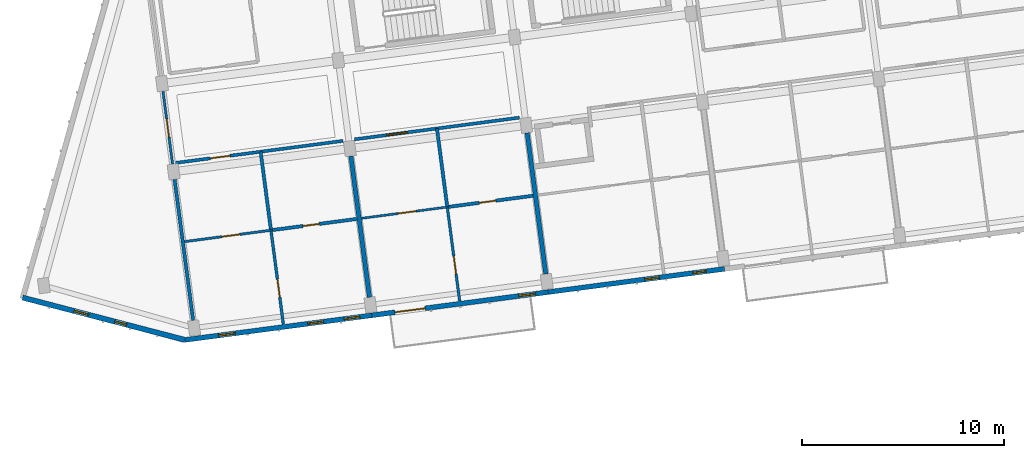
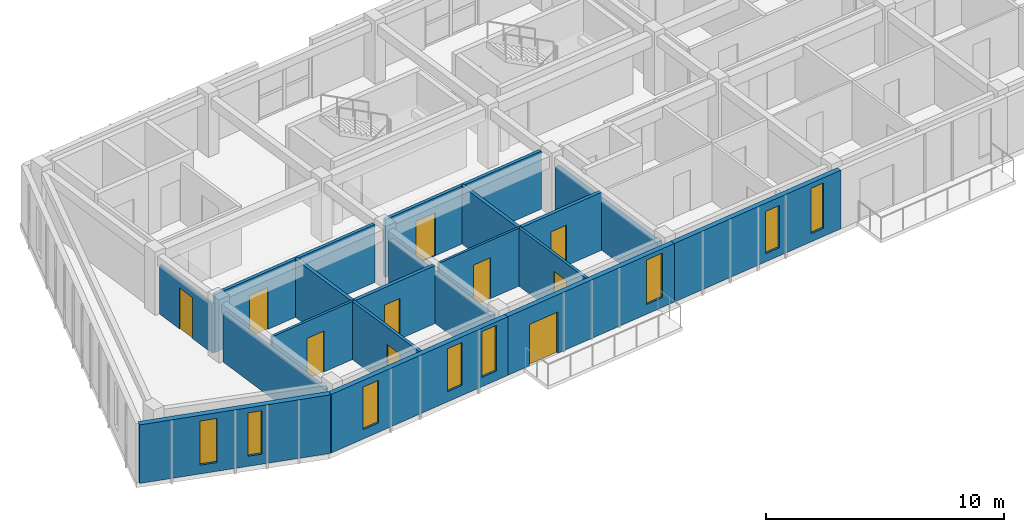
# One storey, part 21 of 64: 18 walls, 10 doors, 8 windows, 18 openings.
"""IFC4 building model written with IfcOpenShell, lengths in metres."""

from ifc_helpers import new_model, si_unit, direction, frame, frame_2d, origin, place, context, subcontext, project, spatial, rectangle, extrude, material, layer, layer_set, type_object, element, fill, save


model = new_model("IFC4")

# Units and contexts
model_context = context("Model", 3, precision=1e-05, world=origin(), true_north=direction((0.0, 1.0)))
body_context = subcontext(model_context, "Body", "Model", "MODEL_VIEW")
ifc_project = project(units=[si_unit("LENGTHUNIT", "METRE"), si_unit("AREAUNIT", "SQUARE_METRE"), si_unit("VOLUMEUNIT", "CUBIC_METRE"), si_unit("PLANEANGLEUNIT", "RADIAN"), si_unit("MASSUNIT", "GRAM", prefix="KILO")], contexts=[model_context])

# Site, building, storey
site_placement = place(None, origin())
site = spatial("IfcSite", under=ifc_project, at=site_placement, CompositionType="ELEMENT")
building_placement = place(site_placement, origin())
building = spatial("IfcBuilding", under=site, at=building_placement, Name="Kestramere Prow Commons", CompositionType="ELEMENT")
storey_placement = place(building_placement, frame((0.0, 0.0, 24.64990234375)))
storey = spatial("IfcBuildingStorey", under=building, at=storey_placement, Name="L07", CompositionType="ELEMENT", Elevation=24.64990234375)

# Wall, openings, windows
ifc_material_1 = material(Name="Weathered Zinc-Titanium Standing-Seam Cladding")
ifc_layer_1 = layer(ifc_material_1, 0.260009765625)
ifc_layer_set_1 = layer_set([ifc_layer_1], Name="Weathered Zinc-Titanium Standing-Seam Cladding")
wall_type_1 = type_object("IfcWallType", Name="EW-PROW-260", PredefinedType="SOLIDWALL", material=ifc_layer_set_1)
wall_1_placement = place(storey_placement, frame((10.748046875, 71.410888671875, 0.0), z_axis=(0.0, 0.0, 1.0), x_axis=(-0.967694955113, 0.252123925577, 0.0)))
wall_1 = element("IfcWall", 1, at=wall_1_placement, inside=storey, type_object=wall_type_1, Name="Block A L07 PRW-S Facet Wall", PredefinedType="SOLIDWALL", context=body_context, shape_type="SweptSolid", body=[
    extrude(rectangle(XDim=8.305419921875, YDim=0.260009765625, at=frame_2d((4.15283203125, 0.0))), origin(), (0.0, 0.0, 1.0), 3.0),
])
opening_1_placement = place(wall_1_placement, frame((2.989990234375, 0.0, 0.52001953125)))
opening_1 = element("IfcOpeningElement", 2, at=opening_1_placement, cuts=wall_1, Name="Opening WN-02", PredefinedType="OPENING", context=body_context, shape_type="SweptSolid", body=[
    extrude(rectangle(XDim=0.60009765625, YDim=2.219970703125, at=frame_2d((0.300048828125, 1.10986328125))), frame((0.0, 0.14501953125, 0.0), z_axis=(0.0, -1.0, 0.0), x_axis=(1.0, 0.0, 0.0)), (0.0, 0.0, 1.0), 0.2900390625),
])
opening_2_placement = place(wall_1_placement, frame((4.935302734375, 0.0, 0.449951171875)))
opening_2 = element("IfcOpeningElement", 3, at=opening_2_placement, cuts=wall_1, Name="Opening WN-09", PredefinedType="OPENING", context=body_context, shape_type="SweptSolid", body=[
    extrude(rectangle(XDim=0.739990234375, YDim=2.260009765625, at=frame_2d((0.3701171875, 1.1298828125))), frame((0.0, 0.14501953125, 0.0), z_axis=(0.0, -1.0, 0.0), x_axis=(1.0, 0.0, 0.0)), (0.0, 0.0, 1.0), 0.2900390625),
])
ifc_material_2 = material(Name="Low-E Laminated Double Glazing", Category="glass")
window_type_1 = type_object("IfcWindowType", Name="WN-NAR-600A", PartitioningType="SINGLE_PANEL", PredefinedType="WINDOW", material=ifc_material_2)
window_1_placement = place(opening_1_placement, origin())
window_1 = element("IfcWindow", 4, at=window_1_placement, inside=storey, type_object=window_type_1, Name="WN-A-L07-PRW-S-0", OverallHeight=2.219970703125, OverallWidth=0.60009765625, PartitioningType="SINGLE_PANEL", PredefinedType="WINDOW", context=body_context, shape_type="SweptSolid", body=[
    extrude(rectangle(XDim=0.60009765625, YDim=2.219970703125, at=frame_2d((0.300048828125, 1.10986328125))), frame((0.0, 0.030029296875, 0.0), z_axis=(0.0, -1.0, 0.0), x_axis=(1.0, 0.0, 0.0)), (0.0, 0.0, 1.0), 0.06005859375),
])
fill(opening_1, window_1)
window_type_2 = type_object("IfcWindowType", Name="WN-NAR-740A", PartitioningType="SINGLE_PANEL", PredefinedType="WINDOW", material=ifc_material_2)
window_2_placement = place(opening_2_placement, origin())
window_2 = element("IfcWindow", 5, at=window_2_placement, inside=storey, type_object=window_type_2, Name="WN-A-L07-PRW-S-1", OverallHeight=2.260009765625, OverallWidth=0.739990234375, PartitioningType="SINGLE_PANEL", PredefinedType="WINDOW", context=body_context, shape_type="SweptSolid", body=[
    extrude(rectangle(XDim=0.739990234375, YDim=2.260009765625, at=frame_2d((0.3701171875, 1.1298828125))), frame((0.0, 0.030029296875, 0.0), z_axis=(0.0, -1.0, 0.0), x_axis=(1.0, 0.0, 0.0)), (0.0, 0.0, 1.0), 0.06005859375),
])
fill(opening_2, window_2)

ifc_material_3 = material(Name="Fluoropolymer Standing-Seam Zinc-Aluminium Cladding", Category="aluminium")
ifc_layer_2 = layer(ifc_material_3, 0.239990234375)
ifc_layer_set_2 = layer_set([ifc_layer_2], Name="Fluoropolymer Standing-Seam Zinc-Aluminium Cladding")
wall_type_2 = type_object("IfcWallType", Name="EW-SEAM-240", PredefinedType="SOLIDWALL", material=ifc_layer_set_2)
wall_2_placement = place(storey_placement, frame((19.9931640625, 72.628173828125, 0.0), z_axis=(0.0, 0.0, 1.0), x_axis=(-0.991442885224, -0.130541201693, 0.0)))
wall_2 = element("IfcWall", 6, at=wall_2_placement, inside=storey, type_object=wall_type_2, Name="Block A L07 South Standing-Seam Wall 1", PredefinedType="SOLIDWALL", context=body_context, shape_type="SweptSolid", body=[
    extrude(rectangle(XDim=9.324951171875, YDim=0.239990234375, at=frame_2d((4.66259765625, 0.0))), origin(), (0.0, 0.0, 1.0), 3.0),
])
opening_3_placement = place(wall_2_placement, frame((0.610107421875, 0.0, 0.47998046875)))
opening_3 = element("IfcOpeningElement", 7, at=opening_3_placement, cuts=wall_2, Name="Opening WN-10", PredefinedType="OPENING", context=body_context, shape_type="SweptSolid", body=[
    extrude(rectangle(XDim=0.760009765625, YDim=2.340087890625, at=frame_2d((0.3798828125, 1.169921875))), frame((0.0, 0.135009765625, 0.0), z_axis=(0.0, -1.0, 0.0), x_axis=(1.0, 0.0, 0.0)), (0.0, 0.0, 1.0), 0.27001953125),
])
opening_4_placement = place(wall_2_placement, frame((2.416015625, 0.0, 0.52001953125)))
opening_4 = element("IfcOpeningElement", 8, at=opening_4_placement, cuts=wall_2, Name="Opening WN-11", PredefinedType="OPENING", context=body_context, shape_type="SweptSolid", body=[
    extrude(rectangle(XDim=0.780029296875, YDim=2.199951171875, at=frame_2d((0.39013671875, 1.10009765625))), frame((0.0, 0.135009765625, 0.0), z_axis=(0.0, -1.0, 0.0), x_axis=(1.0, 0.0, 0.0)), (0.0, 0.0, 1.0), 0.27001953125),
])
opening_5_placement = place(wall_2_placement, frame((6.826416015625, 0.0, 0.47998046875)))
opening_5 = element("IfcOpeningElement", 9, at=opening_5_placement, cuts=wall_2, Name="Opening WN-13", PredefinedType="OPENING", context=body_context, shape_type="SweptSolid", body=[
    extrude(rectangle(XDim=0.820068359375, YDim=2.179931640625, at=frame_2d((0.41015625, 1.08984375))), frame((0.0, 0.135009765625, 0.0), z_axis=(0.0, -1.0, 0.0), x_axis=(1.0, 0.0, 0.0)), (0.0, 0.0, 1.0), 0.27001953125),
])
window_type_3 = type_object("IfcWindowType", Name="WN-NAR-760A", PartitioningType="SINGLE_PANEL", PredefinedType="WINDOW", material=ifc_material_2)
window_3_placement = place(opening_3_placement, origin())
window_3 = element("IfcWindow", 10, at=window_3_placement, inside=storey, type_object=window_type_3, Name="WN-A-L07-S-0-00", OverallHeight=2.340087890625, OverallWidth=0.760009765625, PartitioningType="SINGLE_PANEL", PredefinedType="WINDOW", context=body_context, shape_type="SweptSolid", body=[
    extrude(rectangle(XDim=0.760009765625, YDim=2.340087890625, at=frame_2d((0.3798828125, 1.169921875))), frame((0.0, 0.030029296875, 0.0), z_axis=(0.0, -1.0, 0.0), x_axis=(1.0, 0.0, 0.0)), (0.0, 0.0, 1.0), 0.06005859375),
])
fill(opening_3, window_3)
window_type_4 = type_object("IfcWindowType", Name="WN-NAR-780A", PartitioningType="SINGLE_PANEL", PredefinedType="WINDOW", material=ifc_material_2)
window_4_placement = place(opening_4_placement, origin())
window_4 = element("IfcWindow", 11, at=window_4_placement, inside=storey, type_object=window_type_4, Name="WN-A-L07-S-0-01", OverallHeight=2.199951171875, OverallWidth=0.780029296875, PartitioningType="SINGLE_PANEL", PredefinedType="WINDOW", context=body_context, shape_type="SweptSolid", body=[
    extrude(rectangle(XDim=0.780029296875, YDim=2.199951171875, at=frame_2d((0.39013671875, 1.10009765625))), frame((0.0, 0.030029296875, 0.0), z_axis=(0.0, -1.0, 0.0), x_axis=(1.0, 0.0, 0.0)), (0.0, 0.0, 1.0), 0.06005859375),
])
fill(opening_4, window_4)
window_type_5 = type_object("IfcWindowType", Name="WN-NAR-820A", PartitioningType="DOUBLE_PANEL_VERTICAL", PredefinedType="WINDOW", material=ifc_material_2)
window_5_placement = place(opening_5_placement, origin())
window_5 = element("IfcWindow", 12, at=window_5_placement, inside=storey, type_object=window_type_5, Name="WN-A-L07-S-0-10", OverallHeight=2.179931640625, OverallWidth=0.820068359375, PartitioningType="SINGLE_PANEL", PredefinedType="WINDOW", context=body_context, shape_type="SweptSolid", body=[
    extrude(rectangle(XDim=0.820068359375, YDim=2.179931640625, at=frame_2d((0.41015625, 1.08984375))), frame((0.0, 0.030029296875, 0.0), z_axis=(0.0, -1.0, 0.0), x_axis=(1.0, 0.0, 0.0)), (0.0, 0.0, 1.0), 0.06005859375),
])
fill(opening_5, window_5)

# Wall, openings, door, window
wall_3_placement = place(storey_placement, frame((28.718017578125, 73.77685546875, 0.0), z_axis=(0.0, 0.0, 1.0), x_axis=(-0.991444377792, -0.130529865336, 0.0)))
wall_3 = element("IfcWall", 13, at=wall_3_placement, inside=storey, type_object=wall_type_2, Name="Block A L07 South Standing-Seam Wall 2", PredefinedType="SOLIDWALL", context=body_context, shape_type="SweptSolid", body=[
    extrude(rectangle(XDim=8.800048828125, YDim=0.239990234375, at=frame_2d((4.39990234375, 0.0))), origin(), (0.0, 0.0, 1.0), 3.0),
])
opening_6_placement = place(wall_3_placement, frame((6.14697265625, 0.0, 0.0)))
opening_6 = element("IfcOpeningElement", 14, at=opening_6_placement, cuts=wall_3, Name="Opening GD-BAL-01", PredefinedType="OPENING", context=body_context, shape_type="SweptSolid", body=[
    extrude(rectangle(XDim=1.5, YDim=2.1201171875, at=frame_2d((0.75, 1.06005859375))), frame((0.0, 0.135009765625, 0.0), z_axis=(0.0, -1.0, 0.0), x_axis=(1.0, 0.0, 0.0)), (0.0, 0.0, 1.0), 0.27001953125),
])
opening_7_placement = place(wall_3_placement, frame((0.6298828125, 0.0, 0.5)))
opening_7 = element("IfcOpeningElement", 15, at=opening_7_placement, cuts=wall_3, Name="Opening WN-14", PredefinedType="OPENING", context=body_context, shape_type="SweptSolid", body=[
    extrude(rectangle(XDim=0.840087890625, YDim=2.280029296875, at=frame_2d((0.419921875, 1.14013671875))), frame((0.0, 0.135009765625, 0.0), z_axis=(0.0, -1.0, 0.0), x_axis=(1.0, 0.0, 0.0)), (0.0, 0.0, 1.0), 0.27001953125),
])
ifc_material_4 = material(Name="Thermally-Broken Anodised Aluminium Glazed", Category="aluminium")
door_type_1 = type_object("IfcDoorType", Name="GD-BAL-1500", OperationType="SLIDING_TO_RIGHT", PredefinedType="DOOR", material=ifc_material_4)
door_1_placement = place(opening_6_placement, origin())
door_1 = element("IfcDoor", 16, at=door_1_placement, inside=storey, type_object=door_type_1, Name="Block A L07 Balcony Door 2", OperationType="SLIDING_TO_RIGHT", OverallHeight=2.1201171875, OverallWidth=1.5, PredefinedType="DOOR", context=body_context, shape_type="SweptSolid", body=[
    extrude(rectangle(XDim=1.5, YDim=2.1201171875, at=frame_2d((0.75, 1.06005859375))), frame((0.0, 0.02490234375, 0.0), z_axis=(0.0, -1.0, 0.0), x_axis=(1.0, 0.0, 0.0)), (0.0, 0.0, 1.0), 0.050048828125),
])
fill(opening_6, door_1)
window_type_6 = type_object("IfcWindowType", Name="WN-NAR-840A", PartitioningType="DOUBLE_PANEL_VERTICAL", PredefinedType="WINDOW", material=ifc_material_2)
window_6_placement = place(opening_7_placement, origin())
window_6 = element("IfcWindow", 17, at=window_6_placement, inside=storey, type_object=window_type_6, Name="WN-A-L07-SR-1", OverallHeight=2.280029296875, OverallWidth=0.840087890625, PartitioningType="SINGLE_PANEL", PredefinedType="WINDOW", context=body_context, shape_type="SweptSolid", body=[
    extrude(rectangle(XDim=0.840087890625, YDim=2.280029296875, at=frame_2d((0.419921875, 1.14013671875))), frame((0.0, 0.030029296875, 0.0), z_axis=(0.0, -1.0, 0.0), x_axis=(1.0, 0.0, 0.0)), (0.0, 0.0, 1.0), 0.06005859375),
])
fill(opening_7, window_6)

# Wall, openings, windows
wall_4_placement = place(storey_placement, frame((37.442626953125, 74.92529296875, 0.0), z_axis=(0.0, 0.0, 1.0), x_axis=(-0.991447495205, -0.130506184728, 0.0)))
wall_4 = element("IfcWall", 18, at=wall_4_placement, inside=storey, type_object=wall_type_2, Name="Block A L07 South Standing-Seam Wall 3", PredefinedType="SOLIDWALL", context=body_context, shape_type="SweptSolid", body=[
    extrude(rectangle(XDim=8.7998046875, YDim=0.239990234375, at=frame_2d((4.39990234375, 0.0))), origin(), (0.0, 0.0, 1.0), 3.0),
])
opening_8_placement = place(wall_4_placement, frame((0.910888671875, 0.0, 0.419921875)))
opening_8 = element("IfcOpeningElement", 19, at=opening_8_placement, cuts=wall_4, Name="Opening WN-05", PredefinedType="OPENING", context=body_context, shape_type="SweptSolid", body=[
    extrude(rectangle(XDim=0.659912109375, YDim=2.320068359375, at=frame_2d((0.330078125, 1.16015625))), frame((0.0, 0.135009765625, 0.0), z_axis=(0.0, -1.0, 0.0), x_axis=(1.0, 0.0, 0.0)), (0.0, 0.0, 1.0), 0.27001953125),
])
opening_9_placement = place(wall_4_placement, frame((3.25439453125, 0.0, 0.419921875)))
opening_9 = element("IfcOpeningElement", 20, at=opening_9_placement, cuts=wall_4, Name="Opening WN-08", PredefinedType="OPENING", context=body_context, shape_type="SweptSolid", body=[
    extrude(rectangle(XDim=0.719970703125, YDim=2.159912109375, at=frame_2d((0.35986328125, 1.080078125))), frame((0.0, 0.135009765625, 0.0), z_axis=(0.0, -1.0, 0.0), x_axis=(1.0, 0.0, 0.0)), (0.0, 0.0, 1.0), 0.27001953125),
])
window_type_7 = type_object("IfcWindowType", Name="WN-NAR-660A", PartitioningType="SINGLE_PANEL", PredefinedType="WINDOW", material=ifc_material_2)
window_7_placement = place(opening_8_placement, origin())
window_7 = element("IfcWindow", 21, at=window_7_placement, inside=storey, type_object=window_type_7, Name="WN-A-L07-S-2-00", OverallHeight=2.320068359375, OverallWidth=0.659912109375, PartitioningType="SINGLE_PANEL", PredefinedType="WINDOW", context=body_context, shape_type="SweptSolid", body=[
    extrude(rectangle(XDim=0.659912109375, YDim=2.320068359375, at=frame_2d((0.330078125, 1.16015625))), frame((0.0, 0.030029296875, 0.0), z_axis=(0.0, -1.0, 0.0), x_axis=(1.0, 0.0, 0.0)), (0.0, 0.0, 1.0), 0.06005859375),
])
fill(opening_8, window_7)
window_type_8 = type_object("IfcWindowType", Name="WN-NAR-720A", PartitioningType="SINGLE_PANEL", PredefinedType="WINDOW", material=ifc_material_2)
window_8_placement = place(opening_9_placement, origin())
window_8 = element("IfcWindow", 22, at=window_8_placement, inside=storey, type_object=window_type_8, Name="WN-A-L07-S-2-10", OverallHeight=2.159912109375, OverallWidth=0.719970703125, PartitioningType="SINGLE_PANEL", PredefinedType="WINDOW", context=body_context, shape_type="SweptSolid", body=[
    extrude(rectangle(XDim=0.719970703125, YDim=2.159912109375, at=frame_2d((0.35986328125, 1.080078125))), frame((0.0, 0.030029296875, 0.0), z_axis=(0.0, -1.0, 0.0), x_axis=(1.0, 0.0, 0.0)), (0.0, 0.0, 1.0), 0.06005859375),
])
fill(opening_9, window_8)

# Wall, opening, door
ifc_material_5 = material(Name="Fire-Rated Calcium Silicate Wall")
ifc_layer_3 = layer(ifc_material_5, 0.155029296875)
ifc_layer_set_3 = layer_set([ifc_layer_3], Name="Fire-Rated Calcium Silicate Wall")
wall_type_3 = type_object("IfcWallType", Name="W-FIRE-150", PredefinedType="PARTITIONING", material=ifc_layer_set_3)
wall_5_placement = place(storey_placement, frame((10.196533203125, 80.158935546875, 0.0), z_axis=(0.0, 0.0, 1.0), x_axis=(0.991448685923, 0.130497138599, 0.0)))
wall_5 = element("IfcWall", 23, at=wall_5_placement, inside=storey, type_object=wall_type_3, Name="Interior Partition PW-A-L07-CS-0", PredefinedType="PARTITIONING", context=body_context, shape_type="SweptSolid", body=[
    extrude(rectangle(XDim=8.445068359375, YDim=0.155029296875, at=frame_2d((4.22265625, 0.0))), origin(), (0.0, 0.0, 1.0), 2.97021484375),
])
opening_10_placement = place(wall_5_placement, frame((1.820068359375, 0.0, 0.0)))
opening_10 = element("IfcOpeningElement", 24, at=opening_10_placement, cuts=wall_5, Name="Opening ID-04", PredefinedType="OPENING", context=body_context, shape_type="SweptSolid", body=[
    extrude(rectangle(XDim=0.97998046875, YDim=2.14990234375, at=frame_2d((0.489990234375, 1.074951171875))), frame((0.0, 0.092529296875, 0.0), z_axis=(0.0, -1.0, 0.0), x_axis=(1.0, 0.0, 0.0)), (0.0, 0.0, 1.0), 0.18505859375),
])
ifc_material_6 = material(Name="Hardwood Fire-Rated Flat Entrance Door", Category="wood")
door_type_2 = type_object("IfcDoorType", Name="FD-ENT-01", OperationType="NOTDEFINED", PredefinedType="DOOR", material=ifc_material_6)
door_2_placement = place(opening_10_placement, origin())
door_2 = element("IfcDoor", 25, at=door_2_placement, inside=storey, type_object=door_type_2, Name="Interior Door DR-A-L07-ENT-S0", OperationType="SINGLE_SWING_RIGHT", OverallHeight=2.14990234375, OverallWidth=0.97998046875, PredefinedType="DOOR", context=body_context, shape_type="SweptSolid", body=[
    extrude(rectangle(XDim=0.97998046875, YDim=2.14990234375, at=frame_2d((0.489990234375, 1.074951171875))), frame((0.0, 0.02490234375, 0.0), z_axis=(0.0, -1.0, 0.0), x_axis=(1.0, 0.0, 0.0)), (0.0, 0.0, 1.0), 0.050048828125),
])
fill(opening_10, door_2)

wall_6_placement = place(storey_placement, frame((19.13427734375, 81.33544921875, 0.0), z_axis=(0.0, 0.0, 1.0), x_axis=(0.991445206002, 0.130523574484, 0.0)))
wall_6 = element("IfcWall", 26, at=wall_6_placement, inside=storey, type_object=wall_type_3, Name="Interior Partition PW-A-L07-CS-1", PredefinedType="PARTITIONING", context=body_context, shape_type="SweptSolid", body=[
    extrude(rectangle(XDim=8.22998046875, YDim=0.155029296875, at=frame_2d((4.114990234375, 0.0))), origin(), (0.0, 0.0, 1.0), 2.97021484375),
])
opening_11_placement = place(wall_6_placement, frame((1.60498046875, 0.0, 0.0)))
opening_11 = element("IfcOpeningElement", 27, at=opening_11_placement, cuts=wall_6, Name="Opening ID-05", PredefinedType="OPENING", context=body_context, shape_type="SweptSolid", body=[
    extrude(rectangle(XDim=1.02001953125, YDim=2.199951171875, at=frame_2d((0.510009765625, 1.10009765625))), frame((0.0, 0.092529296875, 0.0), z_axis=(0.0, -1.0, 0.0), x_axis=(1.0, 0.0, 0.0)), (0.0, 0.0, 1.0), 0.18505859375),
])
door_type_3 = type_object("IfcDoorType", Name="FD-ENT-02", OperationType="NOTDEFINED", PredefinedType="DOOR", material=ifc_material_6)
door_3_placement = place(opening_11_placement, origin())
door_3 = element("IfcDoor", 28, at=door_3_placement, inside=storey, type_object=door_type_3, Name="Interior Door DR-A-L07-ENT-S1", OperationType="SINGLE_SWING_LEFT", OverallHeight=2.199951171875, OverallWidth=1.02001953125, PredefinedType="DOOR", context=body_context, shape_type="SweptSolid", body=[
    extrude(rectangle(XDim=1.02001953125, YDim=2.199951171875, at=frame_2d((0.510009765625, 1.10009765625))), frame((0.0, 0.02490234375, 0.0), z_axis=(0.0, -1.0, 0.0), x_axis=(1.0, 0.0, 0.0)), (0.0, 0.0, 1.0), 0.050048828125),
])
fill(opening_11, door_3)

ifc_material_7 = material(Name="Gypsum Acoustic Drywall")
ifc_layer_4 = layer(ifc_material_7, 0.110107421875)
ifc_layer_set_4 = layer_set([ifc_layer_4], Name="Gypsum Acoustic Drywall")
wall_type_4 = type_object("IfcWallType", Name="W-PART-110", PredefinedType="PARTITIONING", material=ifc_layer_set_4)
wall_7_placement = place(storey_placement, frame((19.4775390625, 77.4267578125, 0.0), z_axis=(0.0, 0.0, 1.0), x_axis=(0.991444014242, 0.130532626667, 0.0)))
wall_7 = element("IfcWall", 29, at=wall_7_placement, inside=storey, type_object=wall_type_4, Name="Interior Partition PW-A-L07-MIDS1-1", PredefinedType="PARTITIONING", context=body_context, shape_type="SweptSolid", body=[
    extrude(rectangle(XDim=4.284912109375, YDim=0.110107421875, at=frame_2d((2.142578125, 0.0))), origin(), (0.0, 0.0, 1.0), 2.97021484375),
])
opening_12_placement = place(wall_7_placement, frame((1.824951171875, 0.0, 0.0)))
opening_12 = element("IfcOpeningElement", 30, at=opening_12_placement, cuts=wall_7, Name="Opening ID-08", PredefinedType="OPENING", context=body_context, shape_type="SweptSolid", body=[
    extrude(rectangle(XDim=0.89990234375, YDim=2.10009765625, at=frame_2d((0.449951171875, 1.050048828125))), frame((0.0, 0.070068359375, 0.0), z_axis=(0.0, -1.0, 0.0), x_axis=(1.0, 0.0, 0.0)), (0.0, 0.0, 1.0), 0.14013671875),
])
ifc_material_8 = material(Name="Engineered Timber Flush Door", Category="wood")
door_type_4 = type_object("IfcDoorType", Name="D-RM-01", OperationType="NOTDEFINED", PredefinedType="DOOR", material=ifc_material_8)
door_4_placement = place(opening_12_placement, origin())
door_4 = element("IfcDoor", 31, at=door_4_placement, inside=storey, type_object=door_type_4, Name="Interior Door DR-A-L07-KL-S1", OperationType="SINGLE_SWING_RIGHT", OverallHeight=2.10009765625, OverallWidth=0.89990234375, PredefinedType="DOOR", context=body_context, shape_type="SweptSolid", body=[
    extrude(rectangle(XDim=0.89990234375, YDim=2.10009765625, at=frame_2d((0.449951171875, 1.050048828125))), frame((0.0, 0.02490234375, 0.0), z_axis=(0.0, -1.0, 0.0), x_axis=(1.0, 0.0, 0.0)), (0.0, 0.0, 1.0), 0.050048828125),
])
fill(opening_12, door_4)

ifc_material_9 = material(Name="Lightweight Blockwork and Plaster", Category="masonry")
ifc_layer_5 = layer(ifc_material_9, 0.1201171875)
ifc_layer_set_5 = layer_set([ifc_layer_5], Name="Lightweight Blockwork and Plaster")
wall_type_5 = type_object("IfcWallType", Name="W-PART-120", PredefinedType="PARTITIONING", material=ifc_layer_set_5)
wall_8_placement = place(storey_placement, frame((10.131591796875, 80.114990234375, 0.0), z_axis=(0.0, 0.0, 1.0), x_axis=(-0.130546722025, 0.991442158357, 0.0)))
wall_8 = element("IfcWall", 32, at=wall_8_placement, inside=storey, type_object=wall_type_5, Name="Interior Partition PW-A-L07-PROW-ACC", PredefinedType="PARTITIONING", context=body_context, shape_type="SweptSolid", body=[
    extrude(rectangle(XDim=3.6298828125, YDim=0.1201171875, at=frame_2d((1.81494140625, 0.0))), origin(), (0.0, 0.0, 1.0), 2.5),
])
opening_13_placement = place(wall_8_placement, frame((1.35009765625, 0.0, 0.0)))
opening_13 = element("IfcOpeningElement", 33, at=opening_13_placement, cuts=wall_8, Name="Opening ID-08", PredefinedType="OPENING", context=body_context, shape_type="SweptSolid", body=[
    extrude(rectangle(XDim=0.89990234375, YDim=2.10009765625, at=frame_2d((0.449951171875, 1.050048828125))), frame((0.0, 0.074951171875, 0.0), z_axis=(0.0, -1.0, 0.0), x_axis=(1.0, 0.0, 0.0)), (0.0, 0.0, 1.0), 0.150146484375),
])
door_5_placement = place(opening_13_placement, origin())
door_5 = element("IfcDoor", 34, at=door_5_placement, inside=storey, type_object=door_type_4, Name="Interior Door DR-A-L07-PROW", OperationType="SINGLE_SWING_LEFT", OverallHeight=2.10009765625, OverallWidth=0.89990234375, PredefinedType="DOOR", context=body_context, shape_type="SweptSolid", body=[
    extrude(rectangle(XDim=0.89990234375, YDim=2.10009765625, at=frame_2d((0.449951171875, 1.050048828125))), frame((0.0, 0.02490234375, 0.0), z_axis=(0.0, -1.0, 0.0), x_axis=(1.0, 0.0, 0.0)), (0.0, 0.0, 1.0), 0.050048828125),
])
fill(opening_13, door_5)

wall_9_placement = place(storey_placement, frame((10.72802734375, 76.27490234375, 0.0), z_axis=(0.0, 0.0, 1.0), x_axis=(0.991438863922, 0.130571739306, 0.0)))
wall_9 = element("IfcWall", 35, at=wall_9_placement, inside=storey, type_object=wall_type_5, Name="Interior Partition PW-A-L07-MIDS1-0", PredefinedType="PARTITIONING", context=body_context, shape_type="SweptSolid", body=[
    extrude(rectangle(XDim=4.309814453125, YDim=0.1201171875, at=frame_2d((2.15478515625, 0.0))), origin(), (0.0, 0.0, 1.0), 2.97021484375),
])
opening_14_placement = place(wall_9_placement, frame((1.85009765625, 0.0, 0.0)))
opening_14 = element("IfcOpeningElement", 36, at=opening_14_placement, cuts=wall_9, Name="Opening ID-08", PredefinedType="OPENING", context=body_context, shape_type="SweptSolid", body=[
    extrude(rectangle(XDim=0.89990234375, YDim=2.10009765625, at=frame_2d((0.449951171875, 1.050048828125))), frame((0.0, 0.074951171875, 0.0), z_axis=(0.0, -1.0, 0.0), x_axis=(1.0, 0.0, 0.0)), (0.0, 0.0, 1.0), 0.150146484375),
])
door_6_placement = place(opening_14_placement, origin())
door_6 = element("IfcDoor", 37, at=door_6_placement, inside=storey, type_object=door_type_4, Name="Interior Door DR-A-L07-KL-S0", OperationType="SINGLE_SWING_RIGHT", OverallHeight=2.10009765625, OverallWidth=0.89990234375, PredefinedType="DOOR", context=body_context, shape_type="SweptSolid", body=[
    extrude(rectangle(XDim=0.89990234375, YDim=2.10009765625, at=frame_2d((0.449951171875, 1.050048828125))), frame((0.0, 0.02490234375, 0.0), z_axis=(0.0, -1.0, 0.0), x_axis=(1.0, 0.0, 0.0)), (0.0, 0.0, 1.0), 0.050048828125),
])
fill(opening_14, door_6)

ifc_layer_6 = layer(ifc_material_9, 0.1298828125)
ifc_layer_set_6 = layer_set([ifc_layer_6], Name="Lightweight Blockwork and Plaster")
wall_type_6 = type_object("IfcWallType", Name="W-PART-130", PredefinedType="PARTITIONING", material=ifc_layer_set_6)
wall_10_placement = place(storey_placement, frame((24.337890625, 73.336181640625, 0.0), z_axis=(0.0, 0.0, 1.0), x_axis=(-0.130502988823, 0.991447915883, 0.0)))
wall_10 = element("IfcWall", 38, at=wall_10_placement, inside=storey, type_object=wall_type_6, Name="Interior Partition PW-A-L07-LB-S1", PredefinedType="PARTITIONING", context=body_context, shape_type="SweptSolid", body=[
    extrude(rectangle(XDim=4.68994140625, YDim=0.1298828125, at=frame_2d((2.344970703125, 0.0))), origin(), (0.0, 0.0, 1.0), 2.97021484375),
])
opening_15_placement = place(wall_10_placement, frame((1.35009765625, 0.0, 0.0)))
opening_15 = element("IfcOpeningElement", 39, at=opening_15_placement, cuts=wall_10, Name="Opening ID-10", PredefinedType="OPENING", context=body_context, shape_type="SweptSolid", body=[
    extrude(rectangle(XDim=0.8798828125, YDim=2.10009765625, at=frame_2d((0.43994140625, 1.050048828125))), frame((0.0, 0.079833984375, 0.0), z_axis=(0.0, -1.0, 0.0), x_axis=(1.0, 0.0, 0.0)), (0.0, 0.0, 1.0), 0.159912109375),
])
ifc_material_10 = material(Name="Engineered Timber Bedroom Door", Category="wood")
door_type_5 = type_object("IfcDoorType", Name="D-RM-03", OperationType="NOTDEFINED", PredefinedType="DOOR", material=ifc_material_10)
door_7_placement = place(opening_15_placement, origin())
door_7 = element("IfcDoor", 40, at=door_7_placement, inside=storey, type_object=door_type_5, Name="Interior Door DR-A-L07-BED-S1", OperationType="SINGLE_SWING_RIGHT", OverallHeight=2.10009765625, OverallWidth=0.8798828125, PredefinedType="DOOR", context=body_context, shape_type="SweptSolid", body=[
    extrude(rectangle(XDim=0.8798828125, YDim=2.10009765625, at=frame_2d((0.43994140625, 1.050048828125))), frame((0.0, 0.02490234375, 0.0), z_axis=(0.0, -1.0, 0.0), x_axis=(1.0, 0.0, 0.0)), (0.0, 0.0, 1.0), 0.050048828125),
])
fill(opening_15, door_7)

ifc_material_11 = material(Name="Masonry Compartment Wall", Category="masonry")
ifc_layer_7 = layer(ifc_material_11, 0.139892578125)
ifc_layer_set_7 = layer_set([ifc_layer_7], Name="Masonry Compartment Wall")
wall_type_7 = type_object("IfcWallType", Name="W-PART-140", PredefinedType="PARTITIONING", material=ifc_layer_set_7)
wall_11_placement = place(storey_placement, frame((15.61328125, 72.187744140625, 0.0), z_axis=(0.0, 0.0, 1.0), x_axis=(-0.130554157184, 0.991441179315, 0.0)))
wall_11 = element("IfcWall", 41, at=wall_11_placement, inside=storey, type_object=wall_type_7, Name="Interior Partition PW-A-L07-LB-S0", PredefinedType="PARTITIONING", context=body_context, shape_type="SweptSolid", body=[
    extrude(rectangle(XDim=4.68994140625, YDim=0.139892578125, at=frame_2d((2.344970703125, 0.0))), origin(), (0.0, 0.0, 1.0), 2.97021484375),
])
opening_16_placement = place(wall_11_placement, frame((1.35009765625, 0.0, 0.0)))
opening_16 = element("IfcOpeningElement", 42, at=opening_16_placement, cuts=wall_11, Name="Opening ID-08", PredefinedType="OPENING", context=body_context, shape_type="SweptSolid", body=[
    extrude(rectangle(XDim=0.89990234375, YDim=2.10009765625, at=frame_2d((0.449951171875, 1.050048828125))), frame((0.0, 0.0849609375, 0.0), z_axis=(0.0, -1.0, 0.0), x_axis=(1.0, 0.0, 0.0)), (0.0, 0.0, 1.0), 0.169921875),
])
door_8_placement = place(opening_16_placement, origin())
door_8 = element("IfcDoor", 43, at=door_8_placement, inside=storey, type_object=door_type_4, Name="Interior Door DR-A-L07-BED-S0", OperationType="SINGLE_SWING_LEFT", OverallHeight=2.10009765625, OverallWidth=0.89990234375, PredefinedType="DOOR", context=body_context, shape_type="SweptSolid", body=[
    extrude(rectangle(XDim=0.89990234375, YDim=2.10009765625, at=frame_2d((0.449951171875, 1.050048828125))), frame((0.0, 0.02490234375, 0.0), z_axis=(0.0, -1.0, 0.0), x_axis=(1.0, 0.0, 0.0)), (0.0, 0.0, 1.0), 0.050048828125),
])
fill(opening_16, door_8)

# Wall
ifc_material_12 = material(Name="Waterproof Sanitary Masonry Wall", Category="masonry")
ifc_layer_8 = layer(ifc_material_12, 0.1650390625)
ifc_layer_set_8 = layer_set([ifc_layer_8], Name="Waterproof Sanitary Masonry Wall")
wall_type_8 = type_object("IfcWallType", Name="W-PLUMB-150", PredefinedType="PLUMBINGWALL", material=ifc_layer_set_8)
wall_12_placement = place(storey_placement, frame((11.149658203125, 72.381591796875, 0.0), z_axis=(0.0, 0.0, 1.0), x_axis=(-0.130507514421, 0.991447320174, 0.0)))
element("IfcWall", 44, at=wall_12_placement, inside=storey, type_object=wall_type_8, Name="Interior Partition PW-A-L07-PRWW-S", PredefinedType="PLUMBINGWALL", context=body_context, shape_type="SweptSolid", body=[
    extrude(rectangle(XDim=7.030029296875, YDim=0.1650390625, at=frame_2d((3.51513671875, 0.0))), origin(), (0.0, 0.0, 1.0), 2.5),
])

# Wall, opening, door
wall_13_placement = place(storey_placement, frame((15.0009765625, 76.837646484375, 0.0), z_axis=(0.0, 0.0, 1.0), x_axis=(0.991452356241, 0.130469250419, 0.0)))
wall_13 = element("IfcWall", 45, at=wall_13_placement, inside=storey, type_object=wall_type_8, Name="Interior Partition PW-A-L07-MIDS2-0", PredefinedType="PLUMBINGWALL", context=body_context, shape_type="SweptSolid", body=[
    extrude(rectangle(XDim=4.28515625, YDim=0.1650390625, at=frame_2d((2.142578125, 0.0))), origin(), (0.0, 0.0, 1.0), 2.97021484375),
])
opening_17_placement = place(wall_13_placement, frame((1.60009765625, 0.0, 0.0)))
opening_17 = element("IfcOpeningElement", 46, at=opening_17_placement, cuts=wall_13, Name="Opening ID-11", PredefinedType="OPENING", context=body_context, shape_type="SweptSolid", body=[
    extrude(rectangle(XDim=0.820068359375, YDim=2.080078125, at=frame_2d((0.41015625, 1.0400390625))), frame((0.0, 0.097412109375, 0.0), z_axis=(0.0, -1.0, 0.0), x_axis=(1.0, 0.0, 0.0)), (0.0, 0.0, 1.0), 0.195068359375),
])
ifc_material_13 = material(Name="Moisture-Resistant Timber Bathroom Door", Category="wood")
door_type_6 = type_object("IfcDoorType", Name="D-BT-01", OperationType="NOTDEFINED", PredefinedType="DOOR", material=ifc_material_13)
door_9_placement = place(opening_17_placement, origin())
door_9 = element("IfcDoor", 47, at=door_9_placement, inside=storey, type_object=door_type_6, Name="Interior Door DR-A-L07-BTH-S0", OperationType="SINGLE_SWING_LEFT", OverallHeight=2.080078125, OverallWidth=0.820068359375, PredefinedType="DOOR", context=body_context, shape_type="SweptSolid", body=[
    extrude(rectangle(XDim=0.820068359375, YDim=2.080078125, at=frame_2d((0.41015625, 1.0400390625))), frame((0.0, 0.02490234375, 0.0), z_axis=(0.0, -1.0, 0.0), x_axis=(1.0, 0.0, 0.0)), (0.0, 0.0, 1.0), 0.050048828125),
])
fill(opening_17, door_9)

# Wall
wall_14_placement = place(storey_placement, frame((15.0009765625, 76.837646484375, 0.0), z_axis=(0.0, 0.0, 1.0), x_axis=(-0.130486736108, 0.991450055071, 0.0)))
element("IfcWall", 48, at=wall_14_placement, inside=storey, type_object=wall_type_8, Name="Interior Partition PW-A-L07-KB-S0", PredefinedType="PLUMBINGWALL", context=body_context, shape_type="SweptSolid", body=[
    extrude(rectangle(XDim=3.919677734375, YDim=0.1650390625, at=frame_2d((1.9599609375, 0.0))), origin(), (0.0, 0.0, 1.0), 2.97021484375),
])

# Wall, opening, door
wall_15_placement = place(storey_placement, frame((23.725830078125, 77.986083984375, 0.0), z_axis=(0.0, 0.0, 1.0), x_axis=(0.991444014242, 0.130532626667, 0.0)))
wall_15 = element("IfcWall", 49, at=wall_15_placement, inside=storey, type_object=wall_type_8, Name="Interior Partition PW-A-L07-MIDS2-1", PredefinedType="PLUMBINGWALL", context=body_context, shape_type="SweptSolid", body=[
    extrude(rectangle(XDim=4.284912109375, YDim=0.1650390625, at=frame_2d((2.142578125, 0.0))), origin(), (0.0, 0.0, 1.0), 2.97021484375),
])
opening_18_placement = place(wall_15_placement, frame((1.60009765625, 0.0, 0.0)))
opening_18 = element("IfcOpeningElement", 50, at=opening_18_placement, cuts=wall_15, Name="Opening ID-11", PredefinedType="OPENING", context=body_context, shape_type="SweptSolid", body=[
    extrude(rectangle(XDim=0.820068359375, YDim=2.080078125, at=frame_2d((0.41015625, 1.0400390625))), frame((0.0, 0.097412109375, 0.0), z_axis=(0.0, -1.0, 0.0), x_axis=(1.0, 0.0, 0.0)), (0.0, 0.0, 1.0), 0.195068359375),
])
door_10_placement = place(opening_18_placement, origin())
door_10 = element("IfcDoor", 51, at=door_10_placement, inside=storey, type_object=door_type_6, Name="Interior Door DR-A-L07-BTH-S1", OperationType="SINGLE_SWING_LEFT", OverallHeight=2.080078125, OverallWidth=0.820068359375, PredefinedType="DOOR", context=body_context, shape_type="SweptSolid", body=[
    extrude(rectangle(XDim=0.820068359375, YDim=2.080078125, at=frame_2d((0.41015625, 1.0400390625))), frame((0.0, 0.02490234375, 0.0), z_axis=(0.0, -1.0, 0.0), x_axis=(1.0, 0.0, 0.0)), (0.0, 0.0, 1.0), 0.050048828125),
])
fill(opening_18, door_10)

# Walls
wall_16_placement = place(storey_placement, frame((23.725830078125, 77.986083984375, 0.0), z_axis=(0.0, 0.0, 1.0), x_axis=(-0.130539898676, 0.991443056788, 0.0)))
element("IfcWall", 52, at=wall_16_placement, inside=storey, type_object=wall_type_8, Name="Interior Partition PW-A-L07-KB-S1", PredefinedType="PLUMBINGWALL", context=body_context, shape_type="SweptSolid", body=[
    extrude(rectangle(XDim=3.919921875, YDim=0.1650390625, at=frame_2d((1.9599609375, 0.0))), origin(), (0.0, 0.0, 1.0), 2.97021484375),
])
ifc_material_14 = material(Name="Precast concrete C40/50", Category="concrete")
ifc_layer_9 = layer(ifc_material_14, 0.219970703125)
ifc_layer_set_9 = layer_set([ifc_layer_9], Name="Precast concrete C40/50")
wall_type_9 = type_object("IfcWallType", Name="W-XWALL-220", PredefinedType="SHEAR", material=ifc_layer_set_9)
wall_17_placement = place(storey_placement, frame((19.875732421875, 73.5205078125, 0.0), z_axis=(0.0, 0.0, 1.0), x_axis=(-0.130523490966, 0.991445216997, 0.0)))
element("IfcWall", 53, at=wall_17_placement, inside=storey, type_object=wall_type_9, Name="Block A L07 Precast Cross-Wall 1", PredefinedType="SHEAR", context=body_context, shape_type="SweptSolid", body=[
    extrude(rectangle(XDim=7.0498046875, YDim=0.219970703125, at=frame_2d((3.52490234375, 0.0))), origin(), (0.0, 0.0, 1.0), 2.5),
])
wall_18_placement = place(storey_placement, frame((28.6005859375, 74.6689453125, 0.0), z_axis=(0.0, 0.0, 1.0), x_axis=(-0.130553049113, 0.991441325227, 0.0)))
element("IfcWall", 54, at=wall_18_placement, inside=storey, type_object=wall_type_9, Name="Block A L07 Precast Cross-Wall 2", PredefinedType="SHEAR", context=body_context, shape_type="SweptSolid", body=[
    extrude(rectangle(XDim=7.050048828125, YDim=0.219970703125, at=frame_2d((3.52490234375, 0.0))), origin(), (0.0, 0.0, 1.0), 2.5),
])

save(model, "model.ifc")
